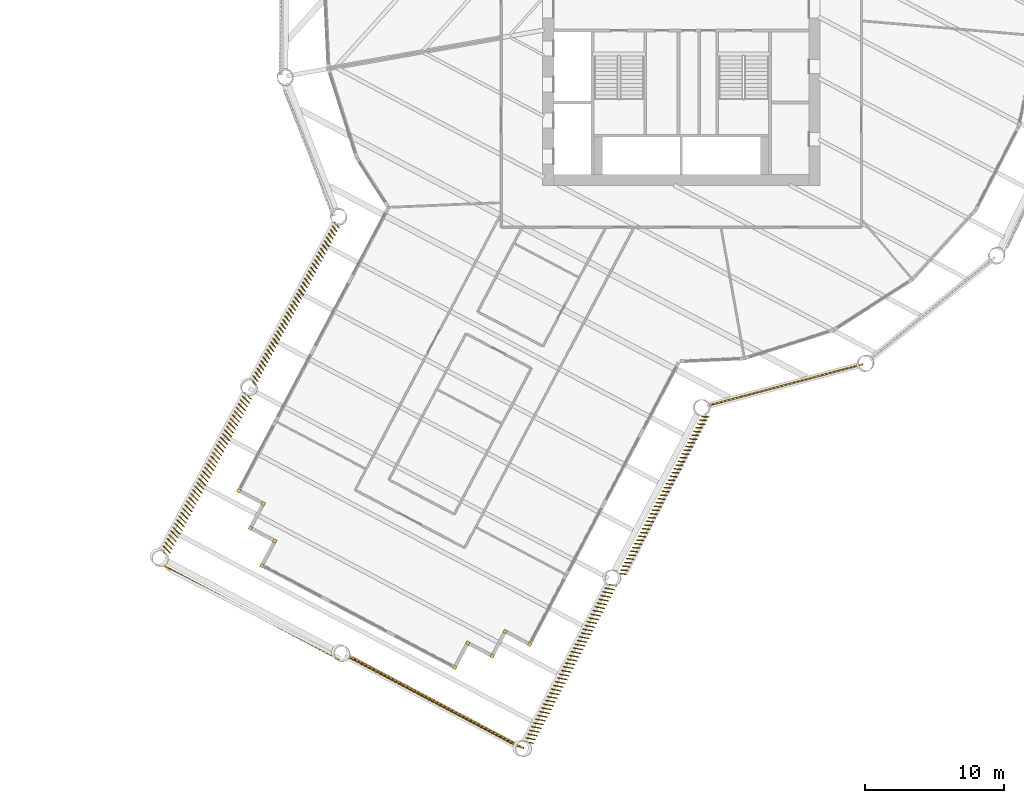
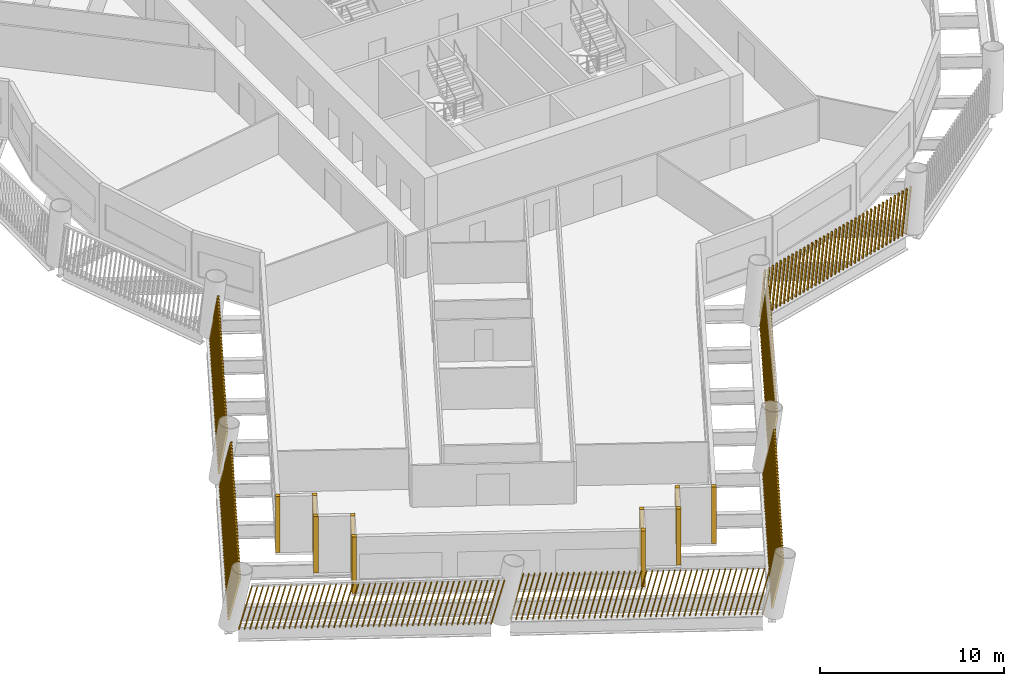
# One storey, part 11 of 16: 17 shading devices.
"""IFC4 building model written with IfcOpenShell, lengths in metres."""

from ifc_helpers import new_model, si_unit, direction, frame, frame_2d, origin, origin_2d, place, context, subcontext, project, spatial, rectangle, composite_profile, extrude, material, type_object, element, save


model = new_model("IFC4")

# Units and contexts
model_context = context("Model", 3, precision=1e-05, world=origin(), true_north=direction((0.0, 1.0)))
body_context = subcontext(model_context, "Body", "Model", "MODEL_VIEW")
ifc_project = project(units=[si_unit("LENGTHUNIT", "METRE"), si_unit("AREAUNIT", "SQUARE_METRE"), si_unit("VOLUMEUNIT", "CUBIC_METRE"), si_unit("PLANEANGLEUNIT", "RADIAN"), si_unit("MASSUNIT", "GRAM", prefix="KILO")], contexts=[model_context])

# Site, building, storey
site_placement = place(None, origin())
site = spatial("IfcSite", under=ifc_project, at=site_placement, CompositionType="ELEMENT")
building_placement = place(site_placement, origin())
building = spatial("IfcBuilding", under=site, at=building_placement, Name="Tarsis Ring Headquarters", CompositionType="ELEMENT")
storey_placement = place(building_placement, frame((0.0, 0.0, 96.699951171875)))
storey = spatial("IfcBuildingStorey", under=building, at=storey_placement, Name="L21", CompositionType="ELEMENT", Elevation=96.699951171875)

# Shading devices
ifc_material = material(Name="Terracotta baguette", Category="masonry")
shading_device_type_1 = type_object("IfcShadingDeviceType", Name="Terracotta baguette screen", PredefinedType="USERDEFINED", material=ifc_material)
shading_device_1_placement = place(storey_placement, frame((-24.9990234375, -15.624267578125, 0.0), z_axis=(0.0, 0.0, 1.0), x_axis=(-0.46731129487, -0.884099381233, 0.0)))
element("IfcShadingDevice", 1, at=shading_device_1_placement, inside=storey, type_object=shading_device_type_1, Name="Baguette screen L21-01", ObjectType="Terracotta baguette screen", PredefinedType="USERDEFINED", context=body_context, shape_type="SweptSolid", body=[
    extrude(composite_profile([rectangle(XDim=0.06005859375, YDim=0.1201171875, at=frame_2d((0.030029296875, 0.0))), rectangle(XDim=0.06005859375, YDim=0.1201171875, at=frame_2d((0.335693359375, 0.0))), rectangle(XDim=0.06005859375, YDim=0.1201171875, at=frame_2d((0.6416015625, 0.0))), rectangle(XDim=0.06005859375, YDim=0.1201171875, at=frame_2d((0.947265625, 0.0))), rectangle(XDim=0.06005859375, YDim=0.1201171875, at=frame_2d((1.253173828125, 0.0))), rectangle(XDim=0.06005859375, YDim=0.1201171875, at=frame_2d((1.558837890625, 0.0))), rectangle(XDim=0.06005859375, YDim=0.1201171875, at=frame_2d((1.864501953125, 0.0))), rectangle(XDim=0.06005859375, YDim=0.1201171875, at=frame_2d((2.17041015625, 0.0))), rectangle(XDim=0.06005859375, YDim=0.1201171875, at=frame_2d((2.47607421875, 0.0))), rectangle(XDim=0.06005859375, YDim=0.1201171875, at=frame_2d((2.781982421875, 0.0))), rectangle(XDim=0.06005859375, YDim=0.1201171875, at=frame_2d((3.087646484375, 0.0))), rectangle(XDim=0.06005859375, YDim=0.1201171875, at=frame_2d((3.393310546875, 0.0))), rectangle(XDim=0.06005859375, YDim=0.1201171875, at=frame_2d((3.69921875, 0.0))), rectangle(XDim=0.06005859375, YDim=0.1201171875, at=frame_2d((4.0048828125, 0.0))), rectangle(XDim=0.06005859375, YDim=0.1201171875, at=frame_2d((4.310791015625, 0.0))), rectangle(XDim=0.06005859375, YDim=0.1201171875, at=frame_2d((4.616455078125, 0.0))), rectangle(XDim=0.06005859375, YDim=0.1201171875, at=frame_2d((4.922119140625, 0.0))), rectangle(XDim=0.06005859375, YDim=0.1201171875, at=frame_2d((5.22802734375, 0.0))), rectangle(XDim=0.06005859375, YDim=0.1201171875, at=frame_2d((5.53369140625, 0.0))), rectangle(XDim=0.06005859375, YDim=0.1201171875, at=frame_2d((5.839599609375, 0.0))), rectangle(XDim=0.06005859375, YDim=0.1201171875, at=frame_2d((6.145263671875, 0.0))), rectangle(XDim=0.06005859375, YDim=0.1201171875, at=frame_2d((6.451171875, 0.0))), rectangle(XDim=0.06005859375, YDim=0.1201171875, at=frame_2d((6.7568359375, 0.0))), rectangle(XDim=0.06005859375, YDim=0.1201171875, at=frame_2d((7.0625, 0.0))), rectangle(XDim=0.06005859375, YDim=0.1201171875, at=frame_2d((7.368408203125, 0.0))), rectangle(XDim=0.06005859375, YDim=0.1201171875, at=frame_2d((7.674072265625, 0.0))), rectangle(XDim=0.06005859375, YDim=0.1201171875, at=frame_2d((7.97998046875, 0.0))), rectangle(XDim=0.06005859375, YDim=0.1201171875, at=frame_2d((8.28564453125, 0.0))), rectangle(XDim=0.06005859375, YDim=0.1201171875, at=frame_2d((8.59130859375, 0.0))), rectangle(XDim=0.06005859375, YDim=0.1201171875, at=frame_2d((8.897216796875, 0.0))), rectangle(XDim=0.06005859375, YDim=0.1201171875, at=frame_2d((9.202880859375, 0.0))), rectangle(XDim=0.06005859375, YDim=0.1201171875, at=frame_2d((9.5087890625, 0.0))), rectangle(XDim=0.06005859375, YDim=0.1201171875, at=frame_2d((9.814453125, 0.0))), rectangle(XDim=0.06005859375, YDim=0.1201171875, at=frame_2d((10.1201171875, 0.0))), rectangle(XDim=0.06005859375, YDim=0.1201171875, at=frame_2d((10.426025390625, 0.0))), rectangle(XDim=0.06005859375, YDim=0.1201171875, at=frame_2d((10.731689453125, 0.0))), rectangle(XDim=0.06005859375, YDim=0.1201171875, at=frame_2d((11.03759765625, 0.0))), rectangle(XDim=0.06005859375, YDim=0.1201171875, at=frame_2d((11.34326171875, 0.0))), rectangle(XDim=0.06005859375, YDim=0.1201171875, at=frame_2d((11.64892578125, 0.0))), rectangle(XDim=0.06005859375, YDim=0.1201171875, at=frame_2d((11.954833984375, 0.0))), rectangle(XDim=0.06005859375, YDim=0.1201171875, at=frame_2d((12.260498046875, 0.0))), rectangle(XDim=0.06005859375, YDim=0.1201171875, at=frame_2d((12.56640625, 0.0))), rectangle(XDim=0.06005859375, YDim=0.1201171875, at=frame_2d((12.8720703125, 0.0)))]), origin(), (0.066365360273, 0.145846128723, 0.987078794065), 2.9912109375),
])
shading_device_2_placement = place(storey_placement, frame((-31.49560546875, -27.9150390625, 0.0), z_axis=(0.0, 0.0, 1.0), x_axis=(-0.46731129487, -0.884099381233, 0.0)))
element("IfcShadingDevice", 2, at=shading_device_2_placement, inside=storey, type_object=shading_device_type_1, Name="Baguette screen L21-02", ObjectType="Terracotta baguette screen", PredefinedType="USERDEFINED", context=body_context, shape_type="SweptSolid", body=[
    extrude(composite_profile([rectangle(XDim=0.06005859375, YDim=0.1201171875, at=frame_2d((0.030029296875, 0.0))), rectangle(XDim=0.06005859375, YDim=0.1201171875, at=frame_2d((0.335693359375, 0.0))), rectangle(XDim=0.06005859375, YDim=0.1201171875, at=frame_2d((0.6416015625, 0.0))), rectangle(XDim=0.06005859375, YDim=0.1201171875, at=frame_2d((0.947265625, 0.0))), rectangle(XDim=0.06005859375, YDim=0.1201171875, at=frame_2d((1.253173828125, 0.0))), rectangle(XDim=0.06005859375, YDim=0.1201171875, at=frame_2d((1.558837890625, 0.0))), rectangle(XDim=0.06005859375, YDim=0.1201171875, at=frame_2d((1.864501953125, 0.0))), rectangle(XDim=0.06005859375, YDim=0.1201171875, at=frame_2d((2.17041015625, 0.0))), rectangle(XDim=0.06005859375, YDim=0.1201171875, at=frame_2d((2.47607421875, 0.0))), rectangle(XDim=0.06005859375, YDim=0.1201171875, at=frame_2d((2.781982421875, 0.0))), rectangle(XDim=0.06005859375, YDim=0.1201171875, at=frame_2d((3.087646484375, 0.0))), rectangle(XDim=0.06005859375, YDim=0.1201171875, at=frame_2d((3.393310546875, 0.0))), rectangle(XDim=0.06005859375, YDim=0.1201171875, at=frame_2d((3.69921875, 0.0))), rectangle(XDim=0.06005859375, YDim=0.1201171875, at=frame_2d((4.0048828125, 0.0))), rectangle(XDim=0.06005859375, YDim=0.1201171875, at=frame_2d((4.310791015625, 0.0))), rectangle(XDim=0.06005859375, YDim=0.1201171875, at=frame_2d((4.616455078125, 0.0))), rectangle(XDim=0.06005859375, YDim=0.1201171875, at=frame_2d((4.922119140625, 0.0))), rectangle(XDim=0.06005859375, YDim=0.1201171875, at=frame_2d((5.22802734375, 0.0))), rectangle(XDim=0.06005859375, YDim=0.1201171875, at=frame_2d((5.53369140625, 0.0))), rectangle(XDim=0.06005859375, YDim=0.1201171875, at=frame_2d((5.839599609375, 0.0))), rectangle(XDim=0.06005859375, YDim=0.1201171875, at=frame_2d((6.145263671875, 0.0))), rectangle(XDim=0.06005859375, YDim=0.1201171875, at=frame_2d((6.451171875, 0.0))), rectangle(XDim=0.06005859375, YDim=0.1201171875, at=frame_2d((6.7568359375, 0.0))), rectangle(XDim=0.06005859375, YDim=0.1201171875, at=frame_2d((7.0625, 0.0))), rectangle(XDim=0.06005859375, YDim=0.1201171875, at=frame_2d((7.368408203125, 0.0))), rectangle(XDim=0.06005859375, YDim=0.1201171875, at=frame_2d((7.674072265625, 0.0))), rectangle(XDim=0.06005859375, YDim=0.1201171875, at=frame_2d((7.97998046875, 0.0))), rectangle(XDim=0.06005859375, YDim=0.1201171875, at=frame_2d((8.28564453125, 0.0))), rectangle(XDim=0.06005859375, YDim=0.1201171875, at=frame_2d((8.59130859375, 0.0))), rectangle(XDim=0.06005859375, YDim=0.1201171875, at=frame_2d((8.897216796875, 0.0))), rectangle(XDim=0.06005859375, YDim=0.1201171875, at=frame_2d((9.202880859375, 0.0))), rectangle(XDim=0.06005859375, YDim=0.1201171875, at=frame_2d((9.5087890625, 0.0))), rectangle(XDim=0.06005859375, YDim=0.1201171875, at=frame_2d((9.814453125, 0.0))), rectangle(XDim=0.06005859375, YDim=0.1201171875, at=frame_2d((10.1201171875, 0.0))), rectangle(XDim=0.06005859375, YDim=0.1201171875, at=frame_2d((10.426025390625, 0.0))), rectangle(XDim=0.06005859375, YDim=0.1201171875, at=frame_2d((10.731689453125, 0.0))), rectangle(XDim=0.06005859375, YDim=0.1201171875, at=frame_2d((11.03759765625, 0.0))), rectangle(XDim=0.06005859375, YDim=0.1201171875, at=frame_2d((11.34326171875, 0.0))), rectangle(XDim=0.06005859375, YDim=0.1201171875, at=frame_2d((11.64892578125, 0.0))), rectangle(XDim=0.06005859375, YDim=0.1201171875, at=frame_2d((11.954833984375, 0.0))), rectangle(XDim=0.06005859375, YDim=0.1201171875, at=frame_2d((12.260498046875, 0.0))), rectangle(XDim=0.06005859375, YDim=0.1201171875, at=frame_2d((12.56640625, 0.0))), rectangle(XDim=0.06005859375, YDim=0.1201171875, at=frame_2d((12.8720703125, 0.0)))]), origin(), (0.065208564139, 0.206810935905, 0.976205449664), 3.024658203125),
])
shading_device_3_placement = place(storey_placement, frame((-37.491943359375, -40.3291015625, 0.0), z_axis=(0.0, 0.0, 1.0), x_axis=(0.884102328215, -0.467305923148, 0.0)))
element("IfcShadingDevice", 3, at=shading_device_3_placement, inside=storey, type_object=shading_device_type_1, Name="Baguette screen L21-03", ObjectType="Terracotta baguette screen", PredefinedType="USERDEFINED", context=body_context, shape_type="SweptSolid", body=[
    extrude(composite_profile([rectangle(XDim=0.06005859375, YDim=0.1201171875, at=frame_2d((0.030029296875, 0.0))), rectangle(XDim=0.06005859375, YDim=0.1201171875, at=frame_2d((0.33544921875, 0.0))), rectangle(XDim=0.06005859375, YDim=0.1201171875, at=frame_2d((0.640625, 0.0))), rectangle(XDim=0.06005859375, YDim=0.1201171875, at=frame_2d((0.946044921875, 0.0))), rectangle(XDim=0.06005859375, YDim=0.1201171875, at=frame_2d((1.25146484375, 0.0))), rectangle(XDim=0.06005859375, YDim=0.1201171875, at=frame_2d((1.556640625, 0.0))), rectangle(XDim=0.06005859375, YDim=0.1201171875, at=frame_2d((1.862060546875, 0.0))), rectangle(XDim=0.06005859375, YDim=0.1201171875, at=frame_2d((2.16748046875, 0.0))), rectangle(XDim=0.06005859375, YDim=0.1201171875, at=frame_2d((2.47265625, 0.0))), rectangle(XDim=0.06005859375, YDim=0.1201171875, at=frame_2d((2.778076171875, 0.0))), rectangle(XDim=0.06005859375, YDim=0.1201171875, at=frame_2d((3.08349609375, 0.0))), rectangle(XDim=0.06005859375, YDim=0.1201171875, at=frame_2d((3.388671875, 0.0))), rectangle(XDim=0.06005859375, YDim=0.1201171875, at=frame_2d((3.694091796875, 0.0))), rectangle(XDim=0.06005859375, YDim=0.1201171875, at=frame_2d((3.99951171875, 0.0))), rectangle(XDim=0.06005859375, YDim=0.1201171875, at=frame_2d((4.3046875, 0.0))), rectangle(XDim=0.06005859375, YDim=0.1201171875, at=frame_2d((4.610107421875, 0.0))), rectangle(XDim=0.06005859375, YDim=0.1201171875, at=frame_2d((4.91552734375, 0.0))), rectangle(XDim=0.06005859375, YDim=0.1201171875, at=frame_2d((5.220703125, 0.0))), rectangle(XDim=0.06005859375, YDim=0.1201171875, at=frame_2d((5.526123046875, 0.0))), rectangle(XDim=0.06005859375, YDim=0.1201171875, at=frame_2d((5.83154296875, 0.0))), rectangle(XDim=0.06005859375, YDim=0.1201171875, at=frame_2d((6.13671875, 0.0))), rectangle(XDim=0.06005859375, YDim=0.1201171875, at=frame_2d((6.442138671875, 0.0))), rectangle(XDim=0.06005859375, YDim=0.1201171875, at=frame_2d((6.74755859375, 0.0))), rectangle(XDim=0.06005859375, YDim=0.1201171875, at=frame_2d((7.052734375, 0.0))), rectangle(XDim=0.06005859375, YDim=0.1201171875, at=frame_2d((7.358154296875, 0.0))), rectangle(XDim=0.06005859375, YDim=0.1201171875, at=frame_2d((7.66357421875, 0.0))), rectangle(XDim=0.06005859375, YDim=0.1201171875, at=frame_2d((7.96875, 0.0))), rectangle(XDim=0.06005859375, YDim=0.1201171875, at=frame_2d((8.274169921875, 0.0))), rectangle(XDim=0.06005859375, YDim=0.1201171875, at=frame_2d((8.57958984375, 0.0))), rectangle(XDim=0.06005859375, YDim=0.1201171875, at=frame_2d((8.884765625, 0.0))), rectangle(XDim=0.06005859375, YDim=0.1201171875, at=frame_2d((9.190185546875, 0.0))), rectangle(XDim=0.06005859375, YDim=0.1201171875, at=frame_2d((9.49560546875, 0.0))), rectangle(XDim=0.06005859375, YDim=0.1201171875, at=frame_2d((9.80078125, 0.0))), rectangle(XDim=0.06005859375, YDim=0.1201171875, at=frame_2d((10.106201171875, 0.0))), rectangle(XDim=0.06005859375, YDim=0.1201171875, at=frame_2d((10.41162109375, 0.0))), rectangle(XDim=0.06005859375, YDim=0.1201171875, at=frame_2d((10.716796875, 0.0))), rectangle(XDim=0.06005859375, YDim=0.1201171875, at=frame_2d((11.022216796875, 0.0))), rectangle(XDim=0.06005859375, YDim=0.1201171875, at=frame_2d((11.32763671875, 0.0))), rectangle(XDim=0.06005859375, YDim=0.1201171875, at=frame_2d((11.6328125, 0.0))), rectangle(XDim=0.06005859375, YDim=0.1201171875, at=frame_2d((11.938232421875, 0.0))), rectangle(XDim=0.06005859375, YDim=0.1201171875, at=frame_2d((12.24365234375, 0.0))), rectangle(XDim=0.06005859375, YDim=0.1201171875, at=frame_2d((12.548828125, 0.0))), rectangle(XDim=0.06005859375, YDim=0.1201171875, at=frame_2d((12.854248046875, 0.0))), rectangle(XDim=0.06005859375, YDim=0.1201171875, at=frame_2d((13.15966796875, 0.0))), rectangle(XDim=0.06005859375, YDim=0.1201171875, at=frame_2d((13.46484375, 0.0))), rectangle(XDim=0.06005859375, YDim=0.1201171875, at=frame_2d((13.770263671875, 0.0)))]), origin(), (0.238207643515, -0.031500974753, 0.970703253915), 3.041748046875),
])
shading_device_4_placement = place(storey_placement, frame((-24.232177734375, -46.913818359375, 0.0), z_axis=(0.0, 0.0, 1.0), x_axis=(0.884104378594, -0.467297655904, 0.0)))
element("IfcShadingDevice", 4, at=shading_device_4_placement, inside=storey, type_object=shading_device_type_1, Name="Baguette screen L21-04", ObjectType="Terracotta baguette screen", PredefinedType="USERDEFINED", context=body_context, shape_type="SweptSolid", body=[
    extrude(composite_profile([rectangle(XDim=0.06005859375, YDim=0.1201171875, at=frame_2d((0.030029296875, 0.0))), rectangle(XDim=0.06005859375, YDim=0.1201171875, at=frame_2d((0.33544921875, 0.0))), rectangle(XDim=0.06005859375, YDim=0.1201171875, at=frame_2d((0.640625, 0.0))), rectangle(XDim=0.06005859375, YDim=0.1201171875, at=frame_2d((0.946044921875, 0.0))), rectangle(XDim=0.06005859375, YDim=0.1201171875, at=frame_2d((1.25146484375, 0.0))), rectangle(XDim=0.06005859375, YDim=0.1201171875, at=frame_2d((1.556640625, 0.0))), rectangle(XDim=0.06005859375, YDim=0.1201171875, at=frame_2d((1.862060546875, 0.0))), rectangle(XDim=0.06005859375, YDim=0.1201171875, at=frame_2d((2.16748046875, 0.0))), rectangle(XDim=0.06005859375, YDim=0.1201171875, at=frame_2d((2.47265625, 0.0))), rectangle(XDim=0.06005859375, YDim=0.1201171875, at=frame_2d((2.778076171875, 0.0))), rectangle(XDim=0.06005859375, YDim=0.1201171875, at=frame_2d((3.08349609375, 0.0))), rectangle(XDim=0.06005859375, YDim=0.1201171875, at=frame_2d((3.388671875, 0.0))), rectangle(XDim=0.06005859375, YDim=0.1201171875, at=frame_2d((3.694091796875, 0.0))), rectangle(XDim=0.06005859375, YDim=0.1201171875, at=frame_2d((3.99951171875, 0.0))), rectangle(XDim=0.06005859375, YDim=0.1201171875, at=frame_2d((4.3046875, 0.0))), rectangle(XDim=0.06005859375, YDim=0.1201171875, at=frame_2d((4.610107421875, 0.0))), rectangle(XDim=0.06005859375, YDim=0.1201171875, at=frame_2d((4.91552734375, 0.0))), rectangle(XDim=0.06005859375, YDim=0.1201171875, at=frame_2d((5.220703125, 0.0))), rectangle(XDim=0.06005859375, YDim=0.1201171875, at=frame_2d((5.526123046875, 0.0))), rectangle(XDim=0.06005859375, YDim=0.1201171875, at=frame_2d((5.83154296875, 0.0))), rectangle(XDim=0.06005859375, YDim=0.1201171875, at=frame_2d((6.13671875, 0.0))), rectangle(XDim=0.06005859375, YDim=0.1201171875, at=frame_2d((6.442138671875, 0.0))), rectangle(XDim=0.06005859375, YDim=0.1201171875, at=frame_2d((6.74755859375, 0.0))), rectangle(XDim=0.06005859375, YDim=0.1201171875, at=frame_2d((7.052734375, 0.0))), rectangle(XDim=0.06005859375, YDim=0.1201171875, at=frame_2d((7.358154296875, 0.0))), rectangle(XDim=0.06005859375, YDim=0.1201171875, at=frame_2d((7.66357421875, 0.0))), rectangle(XDim=0.06005859375, YDim=0.1201171875, at=frame_2d((7.96875, 0.0))), rectangle(XDim=0.06005859375, YDim=0.1201171875, at=frame_2d((8.274169921875, 0.0))), rectangle(XDim=0.06005859375, YDim=0.1201171875, at=frame_2d((8.57958984375, 0.0))), rectangle(XDim=0.06005859375, YDim=0.1201171875, at=frame_2d((8.884765625, 0.0))), rectangle(XDim=0.06005859375, YDim=0.1201171875, at=frame_2d((9.190185546875, 0.0))), rectangle(XDim=0.06005859375, YDim=0.1201171875, at=frame_2d((9.49560546875, 0.0))), rectangle(XDim=0.06005859375, YDim=0.1201171875, at=frame_2d((9.80078125, 0.0))), rectangle(XDim=0.06005859375, YDim=0.1201171875, at=frame_2d((10.106201171875, 0.0))), rectangle(XDim=0.06005859375, YDim=0.1201171875, at=frame_2d((10.41162109375, 0.0))), rectangle(XDim=0.06005859375, YDim=0.1201171875, at=frame_2d((10.716796875, 0.0))), rectangle(XDim=0.06005859375, YDim=0.1201171875, at=frame_2d((11.022216796875, 0.0))), rectangle(XDim=0.06005859375, YDim=0.1201171875, at=frame_2d((11.32763671875, 0.0))), rectangle(XDim=0.06005859375, YDim=0.1201171875, at=frame_2d((11.6328125, 0.0))), rectangle(XDim=0.06005859375, YDim=0.1201171875, at=frame_2d((11.938232421875, 0.0))), rectangle(XDim=0.06005859375, YDim=0.1201171875, at=frame_2d((12.24365234375, 0.0))), rectangle(XDim=0.06005859375, YDim=0.1201171875, at=frame_2d((12.548828125, 0.0))), rectangle(XDim=0.06005859375, YDim=0.1201171875, at=frame_2d((12.854248046875, 0.0))), rectangle(XDim=0.06005859375, YDim=0.1201171875, at=frame_2d((13.15966796875, 0.0))), rectangle(XDim=0.06005859375, YDim=0.1201171875, at=frame_2d((13.46484375, 0.0))), rectangle(XDim=0.06005859375, YDim=0.1201171875, at=frame_2d((13.770263671875, 0.0)))]), origin(), (0.236173099194, 0.03473631457, 0.971089931812), 3.04052734375),
])
shading_device_5_placement = place(storey_placement, frame((-11.35595703125, -53.154296875, 0.0), z_axis=(0.0, 0.0, 1.0), x_axis=(0.467321374508, 0.884082652134, 0.0)))
element("IfcShadingDevice", 5, at=shading_device_5_placement, inside=storey, type_object=shading_device_type_1, Name="Baguette screen L21-05", ObjectType="Terracotta baguette screen", PredefinedType="USERDEFINED", context=body_context, shape_type="SweptSolid", body=[
    extrude(composite_profile([rectangle(XDim=0.06005859375, YDim=0.1201171875, at=frame_2d((0.030029296875, 0.0))), rectangle(XDim=0.06005859375, YDim=0.1201171875, at=frame_2d((0.335693359375, 0.0))), rectangle(XDim=0.06005859375, YDim=0.1201171875, at=frame_2d((0.6416015625, 0.0))), rectangle(XDim=0.06005859375, YDim=0.1201171875, at=frame_2d((0.947265625, 0.0))), rectangle(XDim=0.06005859375, YDim=0.1201171875, at=frame_2d((1.253173828125, 0.0))), rectangle(XDim=0.06005859375, YDim=0.1201171875, at=frame_2d((1.558837890625, 0.0))), rectangle(XDim=0.06005859375, YDim=0.1201171875, at=frame_2d((1.864501953125, 0.0))), rectangle(XDim=0.06005859375, YDim=0.1201171875, at=frame_2d((2.17041015625, 0.0))), rectangle(XDim=0.06005859375, YDim=0.1201171875, at=frame_2d((2.47607421875, 0.0))), rectangle(XDim=0.06005859375, YDim=0.1201171875, at=frame_2d((2.781982421875, 0.0))), rectangle(XDim=0.06005859375, YDim=0.1201171875, at=frame_2d((3.087646484375, 0.0))), rectangle(XDim=0.06005859375, YDim=0.1201171875, at=frame_2d((3.393310546875, 0.0))), rectangle(XDim=0.06005859375, YDim=0.1201171875, at=frame_2d((3.69921875, 0.0))), rectangle(XDim=0.06005859375, YDim=0.1201171875, at=frame_2d((4.0048828125, 0.0))), rectangle(XDim=0.06005859375, YDim=0.1201171875, at=frame_2d((4.310791015625, 0.0))), rectangle(XDim=0.06005859375, YDim=0.1201171875, at=frame_2d((4.616455078125, 0.0))), rectangle(XDim=0.06005859375, YDim=0.1201171875, at=frame_2d((4.922119140625, 0.0))), rectangle(XDim=0.06005859375, YDim=0.1201171875, at=frame_2d((5.22802734375, 0.0))), rectangle(XDim=0.06005859375, YDim=0.1201171875, at=frame_2d((5.53369140625, 0.0))), rectangle(XDim=0.06005859375, YDim=0.1201171875, at=frame_2d((5.839599609375, 0.0))), rectangle(XDim=0.06005859375, YDim=0.1201171875, at=frame_2d((6.145263671875, 0.0))), rectangle(XDim=0.06005859375, YDim=0.1201171875, at=frame_2d((6.451171875, 0.0))), rectangle(XDim=0.06005859375, YDim=0.1201171875, at=frame_2d((6.7568359375, 0.0))), rectangle(XDim=0.06005859375, YDim=0.1201171875, at=frame_2d((7.0625, 0.0))), rectangle(XDim=0.06005859375, YDim=0.1201171875, at=frame_2d((7.368408203125, 0.0))), rectangle(XDim=0.06005859375, YDim=0.1201171875, at=frame_2d((7.674072265625, 0.0))), rectangle(XDim=0.06005859375, YDim=0.1201171875, at=frame_2d((7.97998046875, 0.0))), rectangle(XDim=0.06005859375, YDim=0.1201171875, at=frame_2d((8.28564453125, 0.0))), rectangle(XDim=0.06005859375, YDim=0.1201171875, at=frame_2d((8.59130859375, 0.0))), rectangle(XDim=0.06005859375, YDim=0.1201171875, at=frame_2d((8.897216796875, 0.0))), rectangle(XDim=0.06005859375, YDim=0.1201171875, at=frame_2d((9.202880859375, 0.0))), rectangle(XDim=0.06005859375, YDim=0.1201171875, at=frame_2d((9.5087890625, 0.0))), rectangle(XDim=0.06005859375, YDim=0.1201171875, at=frame_2d((9.814453125, 0.0))), rectangle(XDim=0.06005859375, YDim=0.1201171875, at=frame_2d((10.1201171875, 0.0))), rectangle(XDim=0.06005859375, YDim=0.1201171875, at=frame_2d((10.426025390625, 0.0))), rectangle(XDim=0.06005859375, YDim=0.1201171875, at=frame_2d((10.731689453125, 0.0))), rectangle(XDim=0.06005859375, YDim=0.1201171875, at=frame_2d((11.03759765625, 0.0))), rectangle(XDim=0.06005859375, YDim=0.1201171875, at=frame_2d((11.34326171875, 0.0))), rectangle(XDim=0.06005859375, YDim=0.1201171875, at=frame_2d((11.64892578125, 0.0))), rectangle(XDim=0.06005859375, YDim=0.1201171875, at=frame_2d((11.954833984375, 0.0))), rectangle(XDim=0.06005859375, YDim=0.1201171875, at=frame_2d((12.260498046875, 0.0))), rectangle(XDim=0.06005859375, YDim=0.1201171875, at=frame_2d((12.56640625, 0.0))), rectangle(XDim=0.06005859375, YDim=0.1201171875, at=frame_2d((12.8720703125, 0.0)))]), origin(), (0.068018813112, -0.205901766545, 0.976205871523), 3.024658203125),
])
shading_device_6_placement = place(storey_placement, frame((-4.527587890625, -41.03857421875, 0.0), z_axis=(0.0, 0.0, 1.0), x_axis=(0.46731129487, 0.884099381233, 0.0)))
element("IfcShadingDevice", 6, at=shading_device_6_placement, inside=storey, type_object=shading_device_type_1, Name="Baguette screen L21-06", ObjectType="Terracotta baguette screen", PredefinedType="USERDEFINED", context=body_context, shape_type="SweptSolid", body=[
    extrude(composite_profile([rectangle(XDim=0.06005859375, YDim=0.1201171875, at=frame_2d((0.030029296875, 0.0))), rectangle(XDim=0.06005859375, YDim=0.1201171875, at=frame_2d((0.335693359375, 0.0))), rectangle(XDim=0.06005859375, YDim=0.1201171875, at=frame_2d((0.6416015625, 0.0))), rectangle(XDim=0.06005859375, YDim=0.1201171875, at=frame_2d((0.947265625, 0.0))), rectangle(XDim=0.06005859375, YDim=0.1201171875, at=frame_2d((1.253173828125, 0.0))), rectangle(XDim=0.06005859375, YDim=0.1201171875, at=frame_2d((1.558837890625, 0.0))), rectangle(XDim=0.06005859375, YDim=0.1201171875, at=frame_2d((1.864501953125, 0.0))), rectangle(XDim=0.06005859375, YDim=0.1201171875, at=frame_2d((2.17041015625, 0.0))), rectangle(XDim=0.06005859375, YDim=0.1201171875, at=frame_2d((2.47607421875, 0.0))), rectangle(XDim=0.06005859375, YDim=0.1201171875, at=frame_2d((2.781982421875, 0.0))), rectangle(XDim=0.06005859375, YDim=0.1201171875, at=frame_2d((3.087646484375, 0.0))), rectangle(XDim=0.06005859375, YDim=0.1201171875, at=frame_2d((3.393310546875, 0.0))), rectangle(XDim=0.06005859375, YDim=0.1201171875, at=frame_2d((3.69921875, 0.0))), rectangle(XDim=0.06005859375, YDim=0.1201171875, at=frame_2d((4.0048828125, 0.0))), rectangle(XDim=0.06005859375, YDim=0.1201171875, at=frame_2d((4.310791015625, 0.0))), rectangle(XDim=0.06005859375, YDim=0.1201171875, at=frame_2d((4.616455078125, 0.0))), rectangle(XDim=0.06005859375, YDim=0.1201171875, at=frame_2d((4.922119140625, 0.0))), rectangle(XDim=0.06005859375, YDim=0.1201171875, at=frame_2d((5.22802734375, 0.0))), rectangle(XDim=0.06005859375, YDim=0.1201171875, at=frame_2d((5.53369140625, 0.0))), rectangle(XDim=0.06005859375, YDim=0.1201171875, at=frame_2d((5.839599609375, 0.0))), rectangle(XDim=0.06005859375, YDim=0.1201171875, at=frame_2d((6.145263671875, 0.0))), rectangle(XDim=0.06005859375, YDim=0.1201171875, at=frame_2d((6.451171875, 0.0))), rectangle(XDim=0.06005859375, YDim=0.1201171875, at=frame_2d((6.7568359375, 0.0))), rectangle(XDim=0.06005859375, YDim=0.1201171875, at=frame_2d((7.0625, 0.0))), rectangle(XDim=0.06005859375, YDim=0.1201171875, at=frame_2d((7.368408203125, 0.0))), rectangle(XDim=0.06005859375, YDim=0.1201171875, at=frame_2d((7.674072265625, 0.0))), rectangle(XDim=0.06005859375, YDim=0.1201171875, at=frame_2d((7.97998046875, 0.0))), rectangle(XDim=0.06005859375, YDim=0.1201171875, at=frame_2d((8.28564453125, 0.0))), rectangle(XDim=0.06005859375, YDim=0.1201171875, at=frame_2d((8.59130859375, 0.0))), rectangle(XDim=0.06005859375, YDim=0.1201171875, at=frame_2d((8.897216796875, 0.0))), rectangle(XDim=0.06005859375, YDim=0.1201171875, at=frame_2d((9.202880859375, 0.0))), rectangle(XDim=0.06005859375, YDim=0.1201171875, at=frame_2d((9.5087890625, 0.0))), rectangle(XDim=0.06005859375, YDim=0.1201171875, at=frame_2d((9.814453125, 0.0))), rectangle(XDim=0.06005859375, YDim=0.1201171875, at=frame_2d((10.1201171875, 0.0))), rectangle(XDim=0.06005859375, YDim=0.1201171875, at=frame_2d((10.426025390625, 0.0))), rectangle(XDim=0.06005859375, YDim=0.1201171875, at=frame_2d((10.731689453125, 0.0))), rectangle(XDim=0.06005859375, YDim=0.1201171875, at=frame_2d((11.03759765625, 0.0))), rectangle(XDim=0.06005859375, YDim=0.1201171875, at=frame_2d((11.34326171875, 0.0))), rectangle(XDim=0.06005859375, YDim=0.1201171875, at=frame_2d((11.64892578125, 0.0))), rectangle(XDim=0.06005859375, YDim=0.1201171875, at=frame_2d((11.954833984375, 0.0))), rectangle(XDim=0.06005859375, YDim=0.1201171875, at=frame_2d((12.260498046875, 0.0))), rectangle(XDim=0.06005859375, YDim=0.1201171875, at=frame_2d((12.56640625, 0.0))), rectangle(XDim=0.06005859375, YDim=0.1201171875, at=frame_2d((12.8720703125, 0.0)))]), origin(), (0.070041613417, -0.144901178213, 0.986963941055), 2.99169921875),
])
shading_device_7_placement = place(storey_placement, frame((1.886962890625, -28.8857421875, 0.0), z_axis=(0.0, 0.0, 1.0), x_axis=(0.96618556701, 0.257840477482, 0.0)))
element("IfcShadingDevice", 7, at=shading_device_7_placement, inside=storey, type_object=shading_device_type_1, Name="Baguette screen L21-07", ObjectType="Terracotta baguette screen", PredefinedType="USERDEFINED", context=body_context, shape_type="SweptSolid", body=[
    extrude(composite_profile([rectangle(XDim=0.06005859375, YDim=0.1201171875, at=frame_2d((0.030029296875, 0.0))), rectangle(XDim=0.06005859375, YDim=0.1201171875, at=frame_2d((0.33251953125, 0.0))), rectangle(XDim=0.06005859375, YDim=0.1201171875, at=frame_2d((0.634765625, 0.0))), rectangle(XDim=0.06005859375, YDim=0.1201171875, at=frame_2d((0.937255859375, 0.0))), rectangle(XDim=0.06005859375, YDim=0.1201171875, at=frame_2d((1.239501953125, 0.0))), rectangle(XDim=0.06005859375, YDim=0.1201171875, at=frame_2d((1.5419921875, 0.0))), rectangle(XDim=0.06005859375, YDim=0.1201171875, at=frame_2d((1.844482421875, 0.0))), rectangle(XDim=0.06005859375, YDim=0.1201171875, at=frame_2d((2.146728515625, 0.0))), rectangle(XDim=0.06005859375, YDim=0.1201171875, at=frame_2d((2.44921875, 0.0))), rectangle(XDim=0.06005859375, YDim=0.1201171875, at=frame_2d((2.751708984375, 0.0))), rectangle(XDim=0.06005859375, YDim=0.1201171875, at=frame_2d((3.053955078125, 0.0))), rectangle(XDim=0.06005859375, YDim=0.1201171875, at=frame_2d((3.3564453125, 0.0))), rectangle(XDim=0.06005859375, YDim=0.1201171875, at=frame_2d((3.65869140625, 0.0))), rectangle(XDim=0.06005859375, YDim=0.1201171875, at=frame_2d((3.961181640625, 0.0))), rectangle(XDim=0.06005859375, YDim=0.1201171875, at=frame_2d((4.263671875, 0.0))), rectangle(XDim=0.06005859375, YDim=0.1201171875, at=frame_2d((4.56591796875, 0.0))), rectangle(XDim=0.06005859375, YDim=0.1201171875, at=frame_2d((4.868408203125, 0.0))), rectangle(XDim=0.06005859375, YDim=0.1201171875, at=frame_2d((5.1708984375, 0.0))), rectangle(XDim=0.06005859375, YDim=0.1201171875, at=frame_2d((5.47314453125, 0.0))), rectangle(XDim=0.06005859375, YDim=0.1201171875, at=frame_2d((5.775634765625, 0.0))), rectangle(XDim=0.06005859375, YDim=0.1201171875, at=frame_2d((6.077880859375, 0.0))), rectangle(XDim=0.06005859375, YDim=0.1201171875, at=frame_2d((6.38037109375, 0.0))), rectangle(XDim=0.06005859375, YDim=0.1201171875, at=frame_2d((6.682861328125, 0.0))), rectangle(XDim=0.06005859375, YDim=0.1201171875, at=frame_2d((6.985107421875, 0.0))), rectangle(XDim=0.06005859375, YDim=0.1201171875, at=frame_2d((7.28759765625, 0.0))), rectangle(XDim=0.06005859375, YDim=0.1201171875, at=frame_2d((7.590087890625, 0.0))), rectangle(XDim=0.06005859375, YDim=0.1201171875, at=frame_2d((7.892333984375, 0.0))), rectangle(XDim=0.06005859375, YDim=0.1201171875, at=frame_2d((8.19482421875, 0.0))), rectangle(XDim=0.06005859375, YDim=0.1201171875, at=frame_2d((8.4970703125, 0.0))), rectangle(XDim=0.06005859375, YDim=0.1201171875, at=frame_2d((8.799560546875, 0.0))), rectangle(XDim=0.06005859375, YDim=0.1201171875, at=frame_2d((9.10205078125, 0.0))), rectangle(XDim=0.06005859375, YDim=0.1201171875, at=frame_2d((9.404296875, 0.0))), rectangle(XDim=0.06005859375, YDim=0.1201171875, at=frame_2d((9.706787109375, 0.0))), rectangle(XDim=0.06005859375, YDim=0.1201171875, at=frame_2d((10.00927734375, 0.0))), rectangle(XDim=0.06005859375, YDim=0.1201171875, at=frame_2d((10.3115234375, 0.0))), rectangle(XDim=0.06005859375, YDim=0.1201171875, at=frame_2d((10.614013671875, 0.0))), rectangle(XDim=0.06005859375, YDim=0.1201171875, at=frame_2d((10.916259765625, 0.0))), rectangle(XDim=0.06005859375, YDim=0.1201171875, at=frame_2d((11.21875, 0.0)))]), origin(), (0.129809776359, 0.00088208725, 0.991538523651), 2.977783203125),
])
shading_device_type_2 = type_object("IfcShadingDeviceType", Name="Terracotta corner baguette 250x250", PredefinedType="USERDEFINED", material=ifc_material)
for number, where, z_axis, x_axis, name in (
    (8, (-31.9365234375, -35.00830078125, 0.0), (0.0, 0.0, 1.0), (-0.467312684616, -0.884092107643, 0.0), "Corner baguette L21-07"),
    (9, (-30.16845703125, -35.943115234375, 0.0), (0.0, 0.0, 1.0), (0.884092270766, -0.46731237601, 0.0), "Corner baguette L21-08"),
    (10, (-31.10302734375, -37.711181640625, 0.0), (0.0, 0.0, 1.0), (-0.467312977792, -0.884091952676, 0.0), "Corner baguette L21-09"),
    (11, (-29.334716796875, -38.645751953125, 0.0), (0.0, 0.0, 1.0), (0.88409215658, -0.467312592034, 0.0), "Corner baguette L21-10"),
    (12, (-30.26953125, -40.4140625, 0.0), (0.0, 0.0, 1.0), (-0.467312761768, -0.884092066862, 0.0), "Corner baguette L21-11"),
    (13, (-16.344970703125, -47.774169921875, 0.0), (0.0, 0.0, 1.0), (0.884092107643, -0.467312684616, 0.0), "Corner baguette L21-12"),
    (14, (-15.410400390625, -46.006103515625, 0.0), (0.0, 0.0, 1.0), (0.467312592034, 0.88409215658, 0.0), "Corner baguette L21-13"),
    (15, (-13.64208984375, -46.940673828125, 0.0), (0.0, 0.0, 1.0), (0.884092066862, -0.467312761768, 0.0), "Corner baguette L21-14"),
    (16, (-12.70751953125, -45.17236328125, 0.0), (0.0, 0.0, 1.0), (0.46731237601, 0.884092270766, 0.0), "Corner baguette L21-15"),
    (17, (-10.939453125, -46.107177734375, 0.0), (0.0, 0.0, 1.0), (0.88409215658, -0.467312592034, 0.0), "Corner baguette L21-16"),
):
    element("IfcShadingDevice", number, at=place(storey_placement, frame(where, z_axis=z_axis, x_axis=x_axis)), inside=storey, type_object=shading_device_type_2, Name=name, ObjectType="Terracotta corner baguette", PredefinedType="USERDEFINED", context=body_context, shape_type="SweptSolid", body=[
        extrude(rectangle(XDim=0.25, YDim=0.25, at=origin_2d()), origin(), (0.0, 0.0, 1.0), 3.739990234375),
    ])

save(model, "model.ifc")
